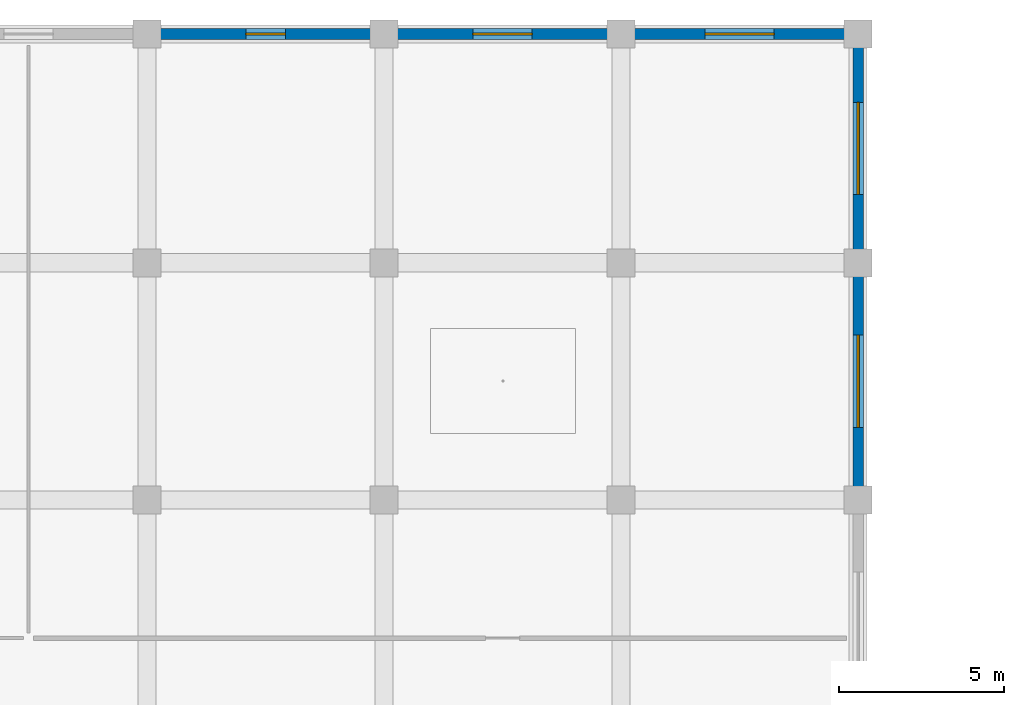
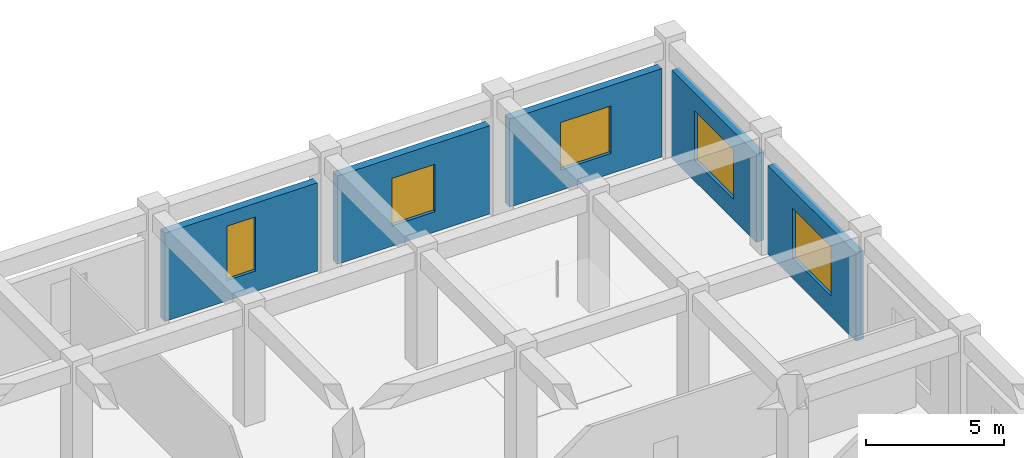
# One storey, part 32 of 56: 5 walls, 5 windows, 5 openings.
"""IFC4 building model written with IfcOpenShell, lengths in metres."""

from ifc_helpers import new_model, si_unit, direction, frame, frame_2d, origin, place, context, subcontext, project, spatial, rectangle, extrude, material, layer, layer_set, type_object, element, fill, save


model = new_model("IFC4")

# Units and contexts
model_context = context("Model", 3, precision=1e-05, world=origin(), true_north=direction((0.0, 1.0)))
body_context = subcontext(model_context, "Body", "Model", "MODEL_VIEW")
ifc_project = project(units=[si_unit("LENGTHUNIT", "METRE"), si_unit("AREAUNIT", "SQUARE_METRE"), si_unit("VOLUMEUNIT", "CUBIC_METRE"), si_unit("PLANEANGLEUNIT", "RADIAN"), si_unit("MASSUNIT", "GRAM", prefix="KILO")], contexts=[model_context])

# Site, building, storey
site_placement = place(None, origin())
site = spatial("IfcSite", under=ifc_project, at=site_placement, CompositionType="ELEMENT")
building_placement = place(site_placement, origin())
building = spatial("IfcBuilding", under=site, at=building_placement, Name="Kazehaya Institute of Natural Sciences", CompositionType="ELEMENT")
storey_placement = place(building_placement, origin())
storey = spatial("IfcBuildingStorey", under=building, at=storey_placement, Name="L00", CompositionType="ELEMENT", Elevation=0.0)

# Wall, opening, window
ifc_material_1 = material(Name="Precast concrete Fc36", Category="concrete")
ifc_layer = layer(ifc_material_1, 0.320068359375, Name="Precast concrete Fc36", Category="concrete")
ifc_layer_set = layer_set([ifc_layer], Name="Precast concrete Fc36")
wall_type = type_object("IfcWallType", Name="WL-EXT-320", PredefinedType="SOLIDWALL", material=ifc_layer_set)
wall_1_placement = place(storey_placement, frame((112.199951171875, 107.18994140625, 0.0), z_axis=(0.0, 0.0, 1.0), x_axis=(0.0, -1.0, 0.0)))
wall_1 = element("IfcWall", 1, at=wall_1_placement, inside=storey, type_object=wall_type, Name="L00 exterior wall EW-L00-0139", PredefinedType="SOLIDWALL", context=body_context, shape_type="SweptSolid", body=[
    extrude(rectangle(XDim=6.3798828125, YDim=0.320068359375, at=frame_2d((3.18994140625, 0.0))), origin(), (0.0, 0.0, 1.0), 3.89990234375),
])
opening_1_placement = place(wall_1_placement, frame((1.7900390625, 0.0, 0.89990234375)))
opening_1 = element("IfcOpeningElement", 2, at=opening_1_placement, cuts=wall_1, Name="Opening W25", PredefinedType="OPENING", context=body_context, shape_type="SweptSolid", body=[
    extrude(rectangle(XDim=2.800048828125, YDim=2.199951171875, at=frame_2d((1.39990234375, 1.10009765625))), frame((0.0, 0.169921875, 0.0), z_axis=(0.0, -1.0, 0.0), x_axis=(1.0, 0.0, 0.0)), (0.0, 0.0, 1.0), 0.340087890625),
])
ifc_material_2 = material(Name="Low-E double-glazed aluminium window", Category="aluminium")
window_type_1 = type_object("IfcWindowType", Name="WN-25", PartitioningType="DOUBLE_PANEL_VERTICAL", PredefinedType="WINDOW", material=ifc_material_2)
window_1_placement = place(opening_1_placement, origin())
window_1 = element("IfcWindow", 3, at=window_1_placement, inside=storey, type_object=window_type_1, Name="L00 facade window 0042", OverallHeight=2.199951171875, OverallWidth=2.800048828125, PartitioningType="DOUBLE_PANEL_VERTICAL", PredefinedType="WINDOW", context=body_context, shape_type="SweptSolid", body=[
    extrude(rectangle(XDim=2.800048828125, YDim=2.199951171875, at=frame_2d((1.39990234375, 1.10009765625))), frame((0.0, 0.030029296875, 0.0), z_axis=(0.0, -1.0, 0.0), x_axis=(1.0, 0.0, 0.0)), (0.0, 0.0, 1.0), 0.06005859375),
])
fill(opening_1, window_1)

wall_2_placement = place(storey_placement, frame((112.199951171875, 114.139892578125, 0.0), z_axis=(0.0, 0.0, 1.0), x_axis=(0.0, -1.0, 0.0)))
wall_2 = element("IfcWall", 4, at=wall_2_placement, inside=storey, type_object=wall_type, Name="L00 exterior wall EW-L00-0141", PredefinedType="SOLIDWALL", context=body_context, shape_type="SweptSolid", body=[
    extrude(rectangle(XDim=6.1298828125, YDim=0.320068359375, at=frame_2d((3.06494140625, 0.0))), origin(), (0.0, 0.0, 1.0), 3.89990234375),
])
opening_2_placement = place(wall_2_placement, frame((1.6650390625, 0.0, 0.89990234375)))
opening_2 = element("IfcOpeningElement", 5, at=opening_2_placement, cuts=wall_2, Name="Opening W25", PredefinedType="OPENING", context=body_context, shape_type="SweptSolid", body=[
    extrude(rectangle(XDim=2.800048828125, YDim=2.199951171875, at=frame_2d((1.39990234375, 1.10009765625))), frame((0.0, 0.169921875, 0.0), z_axis=(0.0, -1.0, 0.0), x_axis=(1.0, 0.0, 0.0)), (0.0, 0.0, 1.0), 0.340087890625),
])
window_2_placement = place(opening_2_placement, origin())
window_2 = element("IfcWindow", 6, at=window_2_placement, inside=storey, type_object=window_type_1, Name="L00 facade window 0044", OverallHeight=2.199951171875, OverallWidth=2.800048828125, PartitioningType="DOUBLE_PANEL_VERTICAL", PredefinedType="WINDOW", context=body_context, shape_type="SweptSolid", body=[
    extrude(rectangle(XDim=2.800048828125, YDim=2.199951171875, at=frame_2d((1.39990234375, 1.10009765625))), frame((0.0, 0.030029296875, 0.0), z_axis=(0.0, -1.0, 0.0), x_axis=(1.0, 0.0, 0.0)), (0.0, 0.0, 1.0), 0.06005859375),
])
fill(opening_2, window_2)

wall_3_placement = place(storey_placement, frame((91.010009765625, 114.550048828125, 0.0), z_axis=(0.0, 0.0, 1.0), x_axis=(1.0, 0.0, 0.0)))
wall_3 = element("IfcWall", 7, at=wall_3_placement, inside=storey, type_object=wall_type, Name="L00 exterior wall EW-L00-0146", PredefinedType="SOLIDWALL", context=body_context, shape_type="SweptSolid", body=[
    extrude(rectangle(XDim=6.3798828125, YDim=0.320068359375, at=frame_2d((3.18994140625, 0.0))), origin(), (0.0, 0.0, 1.0), 3.89990234375),
])
opening_3_placement = place(wall_3_placement, frame((2.590087890625, 0.0, 0.89990234375)))
opening_3 = element("IfcOpeningElement", 8, at=opening_3_placement, cuts=wall_3, Name="Opening W05", PredefinedType="OPENING", context=body_context, shape_type="SweptSolid", body=[
    extrude(rectangle(XDim=1.199951171875, YDim=2.39990234375, at=frame_2d((0.60009765625, 1.199951171875))), frame((0.0, 0.169921875, 0.0), z_axis=(0.0, -1.0, 0.0), x_axis=(1.0, 0.0, 0.0)), (0.0, 0.0, 1.0), 0.340087890625),
])
window_type_2 = type_object("IfcWindowType", Name="WN-05", PartitioningType="SINGLE_PANEL", PredefinedType="WINDOW", material=ifc_material_2)
window_3_placement = place(opening_3_placement, origin())
window_3 = element("IfcWindow", 9, at=window_3_placement, inside=storey, type_object=window_type_2, Name="L00 facade window 0048", OverallHeight=2.39990234375, OverallWidth=1.199951171875, PartitioningType="SINGLE_PANEL", PredefinedType="WINDOW", context=body_context, shape_type="SweptSolid", body=[
    extrude(rectangle(XDim=1.199951171875, YDim=2.39990234375, at=frame_2d((0.60009765625, 1.199951171875))), frame((0.0, 0.030029296875, 0.0), z_axis=(0.0, -1.0, 0.0), x_axis=(1.0, 0.0, 0.0)), (0.0, 0.0, 1.0), 0.06005859375),
])
fill(opening_3, window_3)

wall_4_placement = place(storey_placement, frame((98.2099609375, 114.550048828125, 0.0), z_axis=(0.0, 0.0, 1.0), x_axis=(1.0, 0.0, 0.0)))
wall_4 = element("IfcWall", 10, at=wall_4_placement, inside=storey, type_object=wall_type, Name="L00 exterior wall EW-L00-0147", PredefinedType="SOLIDWALL", context=body_context, shape_type="SweptSolid", body=[
    extrude(rectangle(XDim=6.380126953125, YDim=0.320068359375, at=frame_2d((3.18994140625, 0.0))), origin(), (0.0, 0.0, 1.0), 3.89990234375),
])
opening_4_placement = place(wall_4_placement, frame((2.2900390625, 0.0, 0.89990234375)))
opening_4 = element("IfcOpeningElement", 11, at=opening_4_placement, cuts=wall_4, Name="Opening W06", PredefinedType="OPENING", context=body_context, shape_type="SweptSolid", body=[
    extrude(rectangle(XDim=1.800048828125, YDim=2.10009765625, at=frame_2d((0.89990234375, 1.050048828125))), frame((0.0, 0.169921875, 0.0), z_axis=(0.0, -1.0, 0.0), x_axis=(1.0, 0.0, 0.0)), (0.0, 0.0, 1.0), 0.340087890625),
])
window_type_3 = type_object("IfcWindowType", Name="WN-06", PartitioningType="DOUBLE_PANEL_VERTICAL", PredefinedType="WINDOW", material=ifc_material_2)
window_4_placement = place(opening_4_placement, origin())
window_4 = element("IfcWindow", 12, at=window_4_placement, inside=storey, type_object=window_type_3, Name="L00 facade window 0049", OverallHeight=2.10009765625, OverallWidth=1.800048828125, PartitioningType="DOUBLE_PANEL_VERTICAL", PredefinedType="WINDOW", context=body_context, shape_type="SweptSolid", body=[
    extrude(rectangle(XDim=1.800048828125, YDim=2.10009765625, at=frame_2d((0.89990234375, 1.050048828125))), frame((0.0, 0.030029296875, 0.0), z_axis=(0.0, -1.0, 0.0), x_axis=(1.0, 0.0, 0.0)), (0.0, 0.0, 1.0), 0.06005859375),
])
fill(opening_4, window_4)

wall_5_placement = place(storey_placement, frame((105.409912109375, 114.550048828125, 0.0), z_axis=(0.0, 0.0, 1.0), x_axis=(1.0, 0.0, 0.0)))
wall_5 = element("IfcWall", 13, at=wall_5_placement, inside=storey, type_object=wall_type, Name="L00 exterior wall EW-L00-0148", PredefinedType="SOLIDWALL", context=body_context, shape_type="SweptSolid", body=[
    extrude(rectangle(XDim=6.380126953125, YDim=0.320068359375, at=frame_2d((3.18994140625, 0.0))), origin(), (0.0, 0.0, 1.0), 3.89990234375),
])
opening_5_placement = place(wall_5_placement, frame((2.139892578125, 0.0, 0.89990234375)))
opening_5 = element("IfcOpeningElement", 14, at=opening_5_placement, cuts=wall_5, Name="Opening W07", PredefinedType="OPENING", context=body_context, shape_type="SweptSolid", body=[
    extrude(rectangle(XDim=2.10009765625, YDim=2.10009765625, at=frame_2d((1.050048828125, 1.050048828125))), frame((0.0, 0.169921875, 0.0), z_axis=(0.0, -1.0, 0.0), x_axis=(1.0, 0.0, 0.0)), (0.0, 0.0, 1.0), 0.340087890625),
])
window_type_4 = type_object("IfcWindowType", Name="WN-07", PartitioningType="DOUBLE_PANEL_VERTICAL", PredefinedType="WINDOW", material=ifc_material_2)
window_5_placement = place(opening_5_placement, origin())
window_5 = element("IfcWindow", 15, at=window_5_placement, inside=storey, type_object=window_type_4, Name="L00 facade window 0050", OverallHeight=2.10009765625, OverallWidth=2.10009765625, PartitioningType="DOUBLE_PANEL_VERTICAL", PredefinedType="WINDOW", context=body_context, shape_type="SweptSolid", body=[
    extrude(rectangle(XDim=2.10009765625, YDim=2.10009765625, at=frame_2d((1.050048828125, 1.050048828125))), frame((0.0, 0.030029296875, 0.0), z_axis=(0.0, -1.0, 0.0), x_axis=(1.0, 0.0, 0.0)), (0.0, 0.0, 1.0), 0.06005859375),
])
fill(opening_5, window_5)

save(model, "model.ifc")
